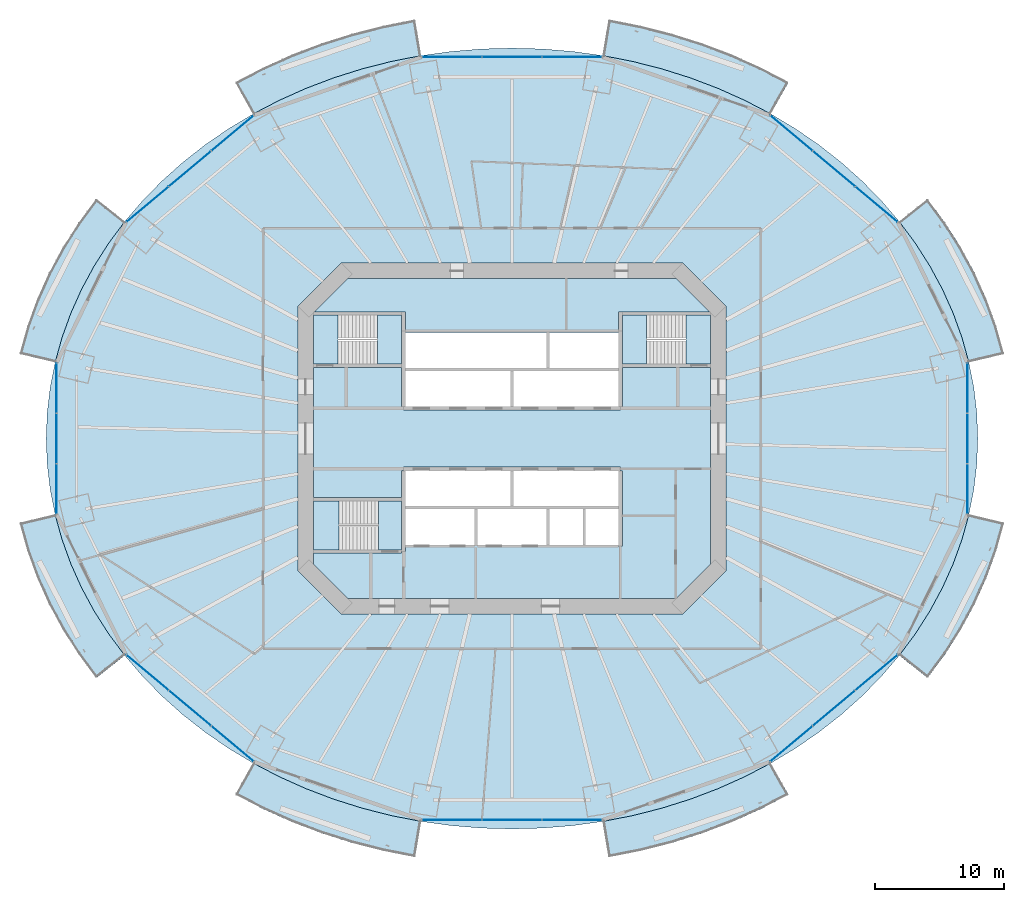
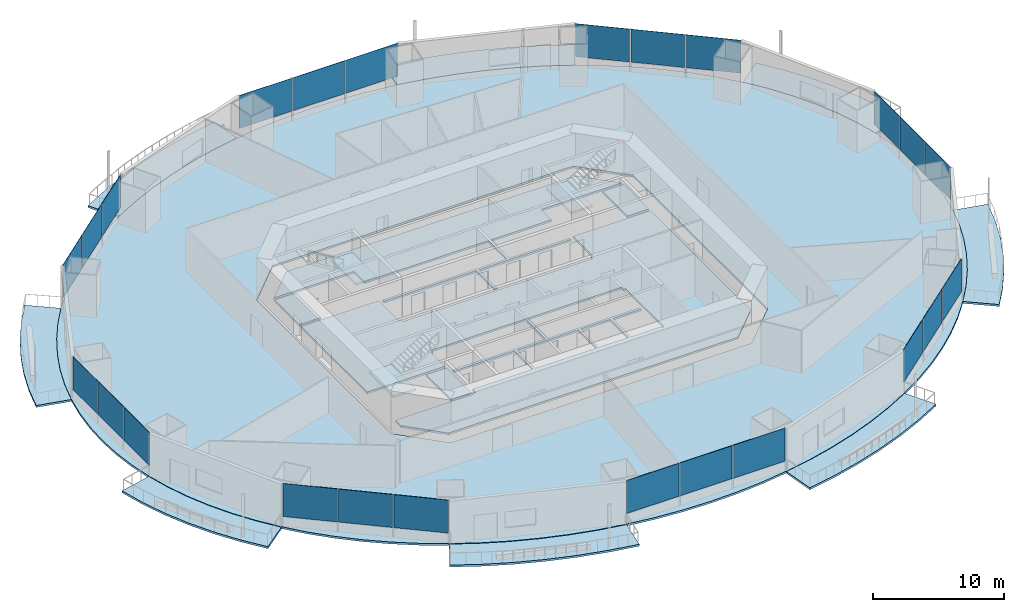
# One storey, part 13 of 23: 24 plates, 17 slabs, 11 elements without a shape of their own.
"""IFC4 building model written with IfcOpenShell, lengths in metres."""

from ifc_helpers import new_model, si_unit, direction, frame, origin, origin_2d, place, context, subcontext, project, spatial, polyline, rectangle, outline, extrude, material, layer, layer_set, type_object, element, aggregate, save


model = new_model("IFC4")

# Units and contexts
model_context = context("Model", 3, precision=1e-05, world=origin(), true_north=direction((0.0, 1.0)))
body_context = subcontext(model_context, "Body", "Model", "MODEL_VIEW")
ifc_project = project(units=[si_unit("LENGTHUNIT", "METRE"), si_unit("AREAUNIT", "SQUARE_METRE"), si_unit("VOLUMEUNIT", "CUBIC_METRE"), si_unit("PLANEANGLEUNIT", "RADIAN"), si_unit("MASSUNIT", "GRAM", prefix="KILO")], contexts=[model_context])

# Site, building, storey
site_placement = place(None, origin())
site = spatial("IfcSite", under=ifc_project, at=site_placement, CompositionType="ELEMENT")
building_placement = place(site_placement, origin())
building = spatial("IfcBuilding", under=site, at=building_placement, Name="Marenthal Gate Tower", CompositionType="ELEMENT")
storey_placement = place(building_placement, frame((0.0, 0.0, 57.89990234375)))
storey = spatial("IfcBuildingStorey", under=building, at=storey_placement, Name="L10", CompositionType="ELEMENT", Elevation=57.89990234375)

# Slabs
ifc_material_1 = material(Name="Concrete 40 MPa", Category="concrete")
ifc_layer_1 = layer(ifc_material_1, 0.179931640625)
ifc_layer_set_1 = layer_set([ifc_layer_1], Name="Balcony deck 180")
slab_type_1 = type_object("IfcSlabType", Name="Balcony deck 180", PredefinedType="USERDEFINED", material=ifc_layer_set_1)
slab_1_placement = place(storey_placement, frame((0.0, 0.0, -0.219970703125)))
element("IfcSlab", 1, at=slab_1_placement, inside=storey, type_object=slab_type_1, Name="Balcony deck L10 bay 1", ObjectType="BALCONY", PredefinedType="USERDEFINED", context=body_context, shape_type="SweptSolid", body=[
    extrude(outline(polyline([(35.421142578125, 5.9052734375), (34.884521484375, 7.834228515625), (34.198486328125, 9.729736328125), (33.365966796875, 11.58349609375), (32.390625, 13.3876953125), (31.276611328125, 15.134521484375), (30.028564453125, 16.816650390625), (32.2177734375, 18.56201171875), (33.582275390625, 16.722900390625), (34.803955078125, 14.8076171875), (35.8759765625, 12.823974609375), (36.793701171875, 10.78076171875), (37.551513671875, 8.686767578125), (38.1455078125, 6.5517578125), (35.421142578125, 5.9052734375)])), origin(), (0.0, 0.0, 1.0), 0.18017578125),
])
slab_2_placement = place(storey_placement, frame((0.0, 0.0, -0.219970703125)))
element("IfcSlab", 2, at=slab_2_placement, inside=storey, type_object=slab_type_1, Name="Balcony deck L10 bay 3", ObjectType="BALCONY", PredefinedType="USERDEFINED", context=body_context, shape_type="SweptSolid", body=[
    extrude(outline(polyline([(20.064453125, 25.167724609375), (18.0576171875, 26.213623046875), (15.973388671875, 27.1474609375), (13.820556640625, 27.96484375), (11.60888671875, 28.66259765625), (9.34716796875, 29.237548828125), (7.045654296875, 29.6875), (7.506103515625, 32.44921875), (9.960693359375, 31.969482421875), (12.375, 31.355712890625), (14.739013671875, 30.610107421875), (17.042724609375, 29.735107421875), (19.277099609375, 28.734130859375), (21.4326171875, 27.61083984375), (20.064453125, 25.167724609375)])), origin(), (0.0, 0.0, 1.0), 0.18017578125),
])
slab_3_placement = place(storey_placement, frame((0.0, 0.0, -0.219970703125)))
element("IfcSlab", 3, at=slab_3_placement, inside=storey, type_object=slab_type_1, Name="Balcony deck L10 bay 5", ObjectType="BALCONY", PredefinedType="USERDEFINED", context=body_context, shape_type="SweptSolid", body=[
    extrude(outline(polyline([(-7.045654296875, 29.6875), (-9.34716796875, 29.237548828125), (-11.60888671875, 28.66259765625), (-13.820556640625, 27.96484375), (-15.973388671875, 27.1474609375), (-18.0576171875, 26.213623046875), (-20.064453125, 25.167724609375), (-21.4326171875, 27.61083984375), (-19.277099609375, 28.734130859375), (-17.042724609375, 29.735107421875), (-14.739013671875, 30.610107421875), (-12.375, 31.355712890625), (-9.960693359375, 31.969482421875), (-7.506103515625, 32.44921875), (-7.045654296875, 29.6875)])), origin(), (0.0, 0.0, 1.0), 0.18017578125),
])
slab_4_placement = place(storey_placement, frame((0.0, 0.0, -0.219970703125)))
element("IfcSlab", 4, at=slab_4_placement, inside=storey, type_object=slab_type_1, Name="Balcony deck L10 bay 7", ObjectType="BALCONY", PredefinedType="USERDEFINED", context=body_context, shape_type="SweptSolid", body=[
    extrude(outline(polyline([(-30.028564453125, 16.816650390625), (-31.276611328125, 15.134521484375), (-32.390625, 13.3876953125), (-33.365966796875, 11.58349609375), (-34.198486328125, 9.729736328125), (-34.884521484375, 7.834228515625), (-35.421142578125, 5.9052734375), (-38.1455078125, 6.5517578125), (-37.551513671875, 8.686767578125), (-36.793701171875, 10.78076171875), (-35.8759765625, 12.823974609375), (-34.803955078125, 14.8076171875), (-33.582275390625, 16.722900390625), (-32.2177734375, 18.56201171875), (-30.028564453125, 16.816650390625)])), origin(), (0.0, 0.0, 1.0), 0.18017578125),
])
slab_5_placement = place(storey_placement, frame((0.0, 0.0, -0.219970703125)))
element("IfcSlab", 5, at=slab_5_placement, inside=storey, type_object=slab_type_1, Name="Balcony deck L10 bay 9", ObjectType="BALCONY", PredefinedType="USERDEFINED", context=body_context, shape_type="SweptSolid", body=[
    extrude(outline(polyline([(-35.421142578125, -5.9052734375), (-34.884521484375, -7.834228515625), (-34.198486328125, -9.729736328125), (-33.365966796875, -11.58349609375), (-32.390625, -13.3876953125), (-31.276611328125, -15.134521484375), (-30.028564453125, -16.816650390625), (-32.2177734375, -18.56201171875), (-33.582275390625, -16.722900390625), (-34.803955078125, -14.8076171875), (-35.8759765625, -12.823974609375), (-36.793701171875, -10.78076171875), (-37.551513671875, -8.686767578125), (-38.1455078125, -6.5517578125), (-35.421142578125, -5.9052734375)])), origin(), (0.0, 0.0, 1.0), 0.18017578125),
])
slab_6_placement = place(storey_placement, frame((0.0, 0.0, -0.219970703125)))
element("IfcSlab", 6, at=slab_6_placement, inside=storey, type_object=slab_type_1, Name="Balcony deck L10 bay 11", ObjectType="BALCONY", PredefinedType="USERDEFINED", context=body_context, shape_type="SweptSolid", body=[
    extrude(outline(polyline([(-20.064453125, -25.167724609375), (-18.0576171875, -26.213623046875), (-15.973388671875, -27.1474609375), (-13.820556640625, -27.96484375), (-11.60888671875, -28.66259765625), (-9.34716796875, -29.237548828125), (-7.045654296875, -29.6875), (-7.506103515625, -32.44921875), (-9.960693359375, -31.969482421875), (-12.375, -31.355712890625), (-14.739013671875, -30.610107421875), (-17.042724609375, -29.735107421875), (-19.277099609375, -28.734130859375), (-21.4326171875, -27.61083984375), (-20.064453125, -25.167724609375)])), origin(), (0.0, 0.0, 1.0), 0.18017578125),
])
slab_7_placement = place(storey_placement, frame((0.0, 0.0, -0.219970703125)))
element("IfcSlab", 7, at=slab_7_placement, inside=storey, type_object=slab_type_1, Name="Balcony deck L10 bay 13", ObjectType="BALCONY", PredefinedType="USERDEFINED", context=body_context, shape_type="SweptSolid", body=[
    extrude(outline(polyline([(7.045654296875, -29.6875), (9.34716796875, -29.237548828125), (11.60888671875, -28.66259765625), (13.820556640625, -27.96484375), (15.973388671875, -27.1474609375), (18.0576171875, -26.213623046875), (20.064453125, -25.167724609375), (21.4326171875, -27.61083984375), (19.277099609375, -28.734130859375), (17.042724609375, -29.735107421875), (14.739013671875, -30.610107421875), (12.375, -31.355712890625), (9.960693359375, -31.969482421875), (7.506103515625, -32.44921875), (7.045654296875, -29.6875)])), origin(), (0.0, 0.0, 1.0), 0.18017578125),
])
slab_8_placement = place(storey_placement, frame((0.0, 0.0, -0.219970703125)))
element("IfcSlab", 8, at=slab_8_placement, inside=storey, type_object=slab_type_1, Name="Balcony deck L10 bay 15", ObjectType="BALCONY", PredefinedType="USERDEFINED", context=body_context, shape_type="SweptSolid", body=[
    extrude(outline(polyline([(30.028564453125, -16.816650390625), (31.276611328125, -15.134521484375), (32.390625, -13.3876953125), (33.365966796875, -11.58349609375), (34.198486328125, -9.729736328125), (34.884521484375, -7.834228515625), (35.421142578125, -5.9052734375), (38.1455078125, -6.5517578125), (37.551513671875, -8.686767578125), (36.793701171875, -10.78076171875), (35.8759765625, -12.823974609375), (34.803955078125, -14.8076171875), (33.582275390625, -16.722900390625), (32.2177734375, -18.56201171875), (30.028564453125, -16.816650390625)])), origin(), (0.0, 0.0, 1.0), 0.18017578125),
])
ifc_material_2 = material(Name="Concrete 50 MPa", Category="concrete")
ifc_layer_2 = layer(ifc_material_2, 0.179931640625)
ifc_layer_set_2 = layer_set([ifc_layer_2], Name="Core floor slab 180")
slab_type_2 = type_object("IfcSlabType", Name="Core floor slab 180", PredefinedType="FLOOR", material=ifc_layer_set_2)
slab_9_placement = place(storey_placement, frame((0.0, 0.0, -0.179931640625)))
element("IfcSlab", 9, at=slab_9_placement, inside=storey, type_object=slab_type_2, Name="Core floor L10", PredefinedType="FLOOR", context=body_context, shape_type="SweptSolid", body=[
    extrude(outline(polyline([(15.39990234375, -9.75146484375), (12.75146484375, -12.39990234375), (-12.75146484375, -12.39990234375), (-15.39990234375, -9.75146484375), (-15.39990234375, -8.875), (-8.550048828125, -8.875), (-8.550048828125, -8.75), (-8.25, -8.75), (-8.25, -8.239990234375), (-5.60009765625, -8.239990234375), (-2.909912109375, -8.239990234375), (-2.909912109375, -5.4599609375), (-5.60009765625, -5.4599609375), (-8.25, -5.4599609375), (-8.25, -5.239990234375), (-5.60009765625, -5.239990234375), (-2.800048828125, -5.239990234375), (-0.110107421875, -5.239990234375), (-0.110107421875, -2.5), (0.110107421875, -2.5), (0.110107421875, -5.239990234375), (2.800048828125, -5.239990234375), (5.60009765625, -5.239990234375), (8.25, -5.239990234375), (8.25, -5.4599609375), (5.7099609375, -5.4599609375), (5.7099609375, -8.239990234375), (8.25, -8.239990234375), (8.25, -8.35009765625), (8.550048828125, -8.35009765625), (8.550048828125, -2.5), (8.39990234375, -2.5), (8.39990234375, -2.199951171875), (-8.39990234375, -2.199951171875), (-8.39990234375, -2.5), (-8.550048828125, -2.5), (-8.550048828125, -4.574951171875), (-15.39990234375, -4.574951171875), (-15.39990234375, 5.52490234375), (-8.550048828125, 5.52490234375), (-8.550048828125, 2.5), (-8.39990234375, 2.5), (-8.39990234375, 2.199951171875), (8.39990234375, 2.199951171875), (8.39990234375, 2.5), (8.550048828125, 2.5), (8.550048828125, 5.52490234375), (15.39990234375, 5.52490234375), (15.39990234375, -9.75146484375)]), holes=[polyline([(2.68994140625, -5.4599609375), (0.0, -5.4599609375), (-2.68994140625, -5.4599609375), (-2.68994140625, -8.239990234375), (0.0, -8.239990234375), (2.68994140625, -8.239990234375), (2.68994140625, -5.4599609375)]), polyline([(5.489990234375, -5.4599609375), (2.909912109375, -5.4599609375), (2.909912109375, -8.239990234375), (5.489990234375, -8.239990234375), (5.489990234375, -5.4599609375)])]), origin(), (0.0, 0.0, 1.0), 0.179931640625),
])
slab_10_placement = place(storey_placement, frame((0.0, 0.0, -0.179931640625)))
element("IfcSlab", 10, at=slab_10_placement, inside=storey, type_object=slab_type_2, Name="Core floor L10", PredefinedType="FLOOR", context=body_context, shape_type="SweptSolid", body=[
    extrude(outline(polyline([(15.39990234375, 5.77490234375), (13.5, 5.77490234375), (13.5, 9.574951171875), (15.39990234375, 9.574951171875), (15.39990234375, 5.77490234375)])), origin(), (0.0, 0.0, 1.0), 0.179931640625),
])
slab_11_placement = place(storey_placement, frame((0.0, 0.0, -0.179931640625)))
element("IfcSlab", 11, at=slab_11_placement, inside=storey, type_object=slab_type_2, Name="Core floor L10", PredefinedType="FLOOR", context=body_context, shape_type="SweptSolid", body=[
    extrude(outline(polyline([(12.75146484375, 12.39990234375), (15.326416015625, 9.824951171875), (8.550048828125, 9.824951171875), (8.25, 9.824951171875), (8.25, 8.35009765625), (8.25, 8.239990234375), (5.60009765625, 8.239990234375), (2.909912109375, 8.239990234375), (2.909912109375, 5.4599609375), (5.60009765625, 5.4599609375), (8.25, 5.4599609375), (8.25, 5.239990234375), (5.60009765625, 5.239990234375), (2.800048828125, 5.239990234375), (0.110107421875, 5.239990234375), (0.110107421875, 2.5), (-0.110107421875, 2.5), (-0.110107421875, 5.239990234375), (-2.800048828125, 5.239990234375), (-5.60009765625, 5.239990234375), (-8.25, 5.239990234375), (-8.25, 5.4599609375), (-5.60009765625, 5.4599609375), (-2.800048828125, 5.4599609375), (0.0, 5.4599609375), (2.68994140625, 5.4599609375), (2.68994140625, 8.239990234375), (0.0, 8.239990234375), (-2.800048828125, 8.239990234375), (-5.60009765625, 8.239990234375), (-8.25, 8.239990234375), (-8.25, 8.35009765625), (-8.25, 9.824951171875), (-8.550048828125, 9.824951171875), (-15.326416015625, 9.824951171875), (-12.75146484375, 12.39990234375), (12.75146484375, 12.39990234375)])), origin(), (0.0, 0.0, 1.0), 0.179931640625),
])
slab_12_placement = place(storey_placement, frame((0.0, 0.0, -0.179931640625)))
element("IfcSlab", 12, at=slab_12_placement, inside=storey, type_object=slab_type_2, Name="Core floor L10", PredefinedType="FLOOR", context=body_context, shape_type="SweptSolid", body=[
    extrude(outline(polyline([(-15.39990234375, 9.574951171875), (-13.5, 9.574951171875), (-13.5, 5.77490234375), (-15.39990234375, 5.77490234375), (-15.39990234375, 9.574951171875)])), origin(), (0.0, 0.0, 1.0), 0.179931640625),
])
slab_13_placement = place(storey_placement, frame((0.0, 0.0, -0.179931640625)))
element("IfcSlab", 13, at=slab_13_placement, inside=storey, type_object=slab_type_2, Name="Core floor L10", PredefinedType="FLOOR", context=body_context, shape_type="SweptSolid", body=[
    extrude(outline(polyline([(-8.550048828125, -8.625), (-10.35009765625, -8.625), (-10.35009765625, -4.824951171875), (-8.550048828125, -4.824951171875), (-8.550048828125, -8.625)])), origin(), (0.0, 0.0, 1.0), 0.179931640625),
])
ifc_material_3 = material(Name="Concrete 35 MPa", Category="concrete")
ifc_layer_3 = layer(ifc_material_3, 0.179931640625)
ifc_layer_set_3 = layer_set([ifc_layer_3], Name="Floor slab 180")
slab_type_3 = type_object("IfcSlabType", Name="Floor slab 180", PredefinedType="FLOOR", material=ifc_layer_set_3)
slab_14_placement = place(storey_placement, frame((0.0, 0.0, -0.179931640625)))
element("IfcSlab", 14, at=slab_14_placement, inside=storey, type_object=slab_type_3, Name="SL-L10-01", PredefinedType="FLOOR", context=body_context, shape_type="SweptSolid", body=[
    extrude(outline(polyline([(36.114990234375, 0.0), (36.03759765625, 1.979736328125), (35.805908203125, 3.950927734375), (35.421142578125, 5.9052734375), (34.884521484375, 7.834228515625), (34.198486328125, 9.729736328125), (33.365966796875, 11.58349609375), (32.390625, 13.3876953125), (31.276611328125, 15.134521484375), (30.028564453125, 16.816650390625), (28.652099609375, 18.426513671875), (27.152587890625, 19.957763671875), (25.537109375, 21.4033203125), (23.812255859375, 22.75732421875), (21.9853515625, 24.013916015625), (20.064453125, 25.167724609375), (18.0576171875, 26.213623046875), (15.973388671875, 27.1474609375), (13.820556640625, 27.96484375), (11.60888671875, 28.66259765625), (9.34716796875, 29.237548828125), (7.045654296875, 29.6875), (4.714111328125, 30.010009765625), (2.362060546875, 30.2041015625), (0.0, 30.26904296875), (-2.362060546875, 30.2041015625), (-4.714111328125, 30.010009765625), (-7.045654296875, 29.6875), (-9.34716796875, 29.237548828125), (-11.60888671875, 28.66259765625), (-13.820556640625, 27.96484375), (-15.973388671875, 27.1474609375), (-18.0576171875, 26.213623046875), (-20.064453125, 25.167724609375), (-21.9853515625, 24.013916015625), (-23.812255859375, 22.75732421875), (-25.537109375, 21.4033203125), (-27.152587890625, 19.957763671875), (-28.652099609375, 18.426513671875), (-30.028564453125, 16.816650390625), (-31.276611328125, 15.134521484375), (-32.390625, 13.3876953125), (-33.365966796875, 11.58349609375), (-34.198486328125, 9.729736328125), (-34.884521484375, 7.834228515625), (-35.421142578125, 5.9052734375), (-35.805908203125, 3.950927734375), (-36.03759765625, 1.979736328125), (-36.114990234375, 0.0), (-36.03759765625, -1.979736328125), (-35.805908203125, -3.950927734375), (-35.421142578125, -5.9052734375), (-34.884521484375, -7.834228515625), (-34.198486328125, -9.729736328125), (-33.365966796875, -11.58349609375), (-32.390625, -13.3876953125), (-31.276611328125, -15.134521484375), (-30.028564453125, -16.816650390625), (-28.652099609375, -18.426513671875), (-27.152587890625, -19.957763671875), (-25.537109375, -21.4033203125), (-23.812255859375, -22.75732421875), (-21.9853515625, -24.013916015625), (-20.064453125, -25.167724609375), (-18.0576171875, -26.213623046875), (-15.973388671875, -27.1474609375), (-13.820556640625, -27.96484375), (-11.60888671875, -28.66259765625), (-9.34716796875, -29.237548828125), (-7.045654296875, -29.6875), (-4.714111328125, -30.010009765625), (-2.362060546875, -30.2041015625), (0.0, -30.26904296875), (2.362060546875, -30.2041015625), (4.714111328125, -30.010009765625), (7.045654296875, -29.6875), (9.34716796875, -29.237548828125), (11.60888671875, -28.66259765625), (13.820556640625, -27.96484375), (15.973388671875, -27.1474609375), (18.0576171875, -26.213623046875), (20.064453125, -25.167724609375), (21.9853515625, -24.013916015625), (23.812255859375, -22.75732421875), (25.537109375, -21.4033203125), (27.152587890625, -19.957763671875), (28.652099609375, -18.426513671875), (30.028564453125, -16.816650390625), (31.276611328125, -15.134521484375), (32.390625, -13.3876953125), (33.365966796875, -11.58349609375), (34.198486328125, -9.729736328125), (34.884521484375, -7.834228515625), (35.421142578125, -5.9052734375), (35.805908203125, -3.950927734375), (36.03759765625, -1.979736328125), (36.114990234375, 0.0)]), holes=[polyline([(13.24853515625, -13.60009765625), (16.60009765625, -10.24853515625), (16.60009765625, 10.24853515625), (13.24853515625, 13.60009765625), (-13.24853515625, 13.60009765625), (-16.60009765625, 10.24853515625), (-16.60009765625, -10.24853515625), (-13.24853515625, -13.60009765625), (13.24853515625, -13.60009765625)])]), origin(), (0.0, 0.0, 1.0), 0.179931640625),
])

# Curtain wall, plates
ifc_material_4 = material(Name="Aluminium and glass", Category="aluminium")
curtain_wall_type = type_object("IfcCurtainWallType", Name="Curtain wall typical low", PredefinedType="NOTDEFINED", material=ifc_material_4)
curtain_wall_1_placement = place(storey_placement, origin())
curtain_wall_1 = element("IfcCurtainWall", 15, at=curtain_wall_1_placement, inside=storey, type_object=curtain_wall_type, Name="Curtain wall L10 bay 2", PredefinedType="NOTDEFINED")
ifc_material_5 = material(Name="Glass, laminated insulating unit", Category="glass")
ifc_layer_4 = layer(ifc_material_5, 0.030029296875)
ifc_layer_set_4 = layer_set([ifc_layer_4], Name="Glass panel 30 typical low")
plate_type = type_object("IfcPlateType", Name="Glass panel 30 typical low", PredefinedType="CURTAIN_PANEL", material=ifc_layer_set_4)
plate_1_placement = place(storey_placement, frame((28.25830078125, 18.149169921875, 0.89990234375), z_axis=(0.0, 0.0, 1.0), x_axis=(-0.766611059497, 0.642111737517, 0.0)))
plate_1 = element("IfcPlate", 16, at=plate_1_placement, type_object=plate_type, Name="Glass panel L10 bay 2.1", PredefinedType="CURTAIN_PANEL", context=body_context, shape_type="SweptSolid", body=[
    extrude(rectangle(XDim=4.238037109375, YDim=0.030029296875, at=origin_2d()), origin(), (0.0, 0.0, 1.0), 3.070068359375),
])
plate_2_placement = place(storey_placement, frame((24.963134765625, 20.908935546875, 0.89990234375), z_axis=(0.0, 0.0, 1.0), x_axis=(-0.766611059497, 0.642111737517, 0.0)))
plate_2 = element("IfcPlate", 17, at=plate_2_placement, type_object=plate_type, Name="Glass panel L10 bay 2.2", PredefinedType="CURTAIN_PANEL", context=body_context, shape_type="SweptSolid", body=[
    extrude(rectangle(XDim=4.238037109375, YDim=0.030029296875, at=origin_2d()), origin(), (0.0, 0.0, 1.0), 3.070068359375),
])
plate_3_placement = place(storey_placement, frame((21.668212890625, 23.668701171875, 0.89990234375), z_axis=(0.0, 0.0, 1.0), x_axis=(-0.766611059497, 0.642111737517, 0.0)))
plate_3 = element("IfcPlate", 18, at=plate_3_placement, type_object=plate_type, Name="Glass panel L10 bay 2.3", PredefinedType="CURTAIN_PANEL", context=body_context, shape_type="SweptSolid", body=[
    extrude(rectangle(XDim=4.238037109375, YDim=0.030029296875, at=origin_2d()), origin(), (0.0, 0.0, 1.0), 3.070068359375),
])
aggregate(curtain_wall_1, [plate_1, plate_2, plate_3])

curtain_wall_2_placement = place(storey_placement, origin())
curtain_wall_2 = element("IfcCurtainWall", 19, at=curtain_wall_2_placement, inside=storey, type_object=curtain_wall_type, Name="Curtain wall L10 bay 4", PredefinedType="NOTDEFINED")
plate_4_placement = place(storey_placement, frame((4.66162109375, 29.569580078125, 0.89990234375), z_axis=(0.0, 0.0, 1.0), x_axis=(-1.0, 0.0, 0.0)))
plate_4 = element("IfcPlate", 20, at=plate_4_placement, type_object=plate_type, Name="Glass panel L10 bay 4.1", PredefinedType="CURTAIN_PANEL", context=body_context, shape_type="SweptSolid", body=[
    extrude(rectangle(XDim=4.6015625, YDim=0.030029296875, at=origin_2d()), origin(), (0.0, 0.0, 1.0), 3.070068359375),
])
plate_5_placement = place(storey_placement, frame((0.0, 29.569580078125, 0.89990234375), z_axis=(0.0, 0.0, 1.0), x_axis=(-1.0, 0.0, 0.0)))
plate_5 = element("IfcPlate", 21, at=plate_5_placement, type_object=plate_type, Name="Glass panel L10 bay 4.2", PredefinedType="CURTAIN_PANEL", context=body_context, shape_type="SweptSolid", body=[
    extrude(rectangle(XDim=4.6015625, YDim=0.030029296875, at=origin_2d()), origin(), (0.0, 0.0, 1.0), 3.070068359375),
])
plate_6_placement = place(storey_placement, frame((-4.66162109375, 29.569580078125, 0.89990234375), z_axis=(0.0, 0.0, 1.0), x_axis=(-1.0, 0.0, 0.0)))
plate_6 = element("IfcPlate", 22, at=plate_6_placement, type_object=plate_type, Name="Glass panel L10 bay 4.3", PredefinedType="CURTAIN_PANEL", context=body_context, shape_type="SweptSolid", body=[
    extrude(rectangle(XDim=4.6015625, YDim=0.030029296875, at=origin_2d()), origin(), (0.0, 0.0, 1.0), 3.070068359375),
])
aggregate(curtain_wall_2, [plate_4, plate_5, plate_6])

curtain_wall_3_placement = place(storey_placement, origin())
curtain_wall_3 = element("IfcCurtainWall", 23, at=curtain_wall_3_placement, inside=storey, type_object=curtain_wall_type, Name="Curtain wall L10 bay 6", PredefinedType="NOTDEFINED")
plate_7_placement = place(storey_placement, frame((-21.668212890625, 23.668701171875, 0.89990234375), z_axis=(0.0, 0.0, 1.0), x_axis=(-0.766611059497, -0.642111737517, 0.0)))
plate_7 = element("IfcPlate", 24, at=plate_7_placement, type_object=plate_type, Name="Glass panel L10 bay 6.1", PredefinedType="CURTAIN_PANEL", context=body_context, shape_type="SweptSolid", body=[
    extrude(rectangle(XDim=4.238037109375, YDim=0.030029296875, at=origin_2d()), origin(), (0.0, 0.0, 1.0), 3.070068359375),
])
plate_8_placement = place(storey_placement, frame((-24.963134765625, 20.908935546875, 0.89990234375), z_axis=(0.0, 0.0, 1.0), x_axis=(-0.766611059497, -0.642111737517, 0.0)))
plate_8 = element("IfcPlate", 25, at=plate_8_placement, type_object=plate_type, Name="Glass panel L10 bay 6.2", PredefinedType="CURTAIN_PANEL", context=body_context, shape_type="SweptSolid", body=[
    extrude(rectangle(XDim=4.238037109375, YDim=0.030029296875, at=origin_2d()), origin(), (0.0, 0.0, 1.0), 3.070068359375),
])
plate_9_placement = place(storey_placement, frame((-28.25830078125, 18.149169921875, 0.89990234375), z_axis=(0.0, 0.0, 1.0), x_axis=(-0.766611059497, -0.642111737517, 0.0)))
plate_9 = element("IfcPlate", 26, at=plate_9_placement, type_object=plate_type, Name="Glass panel L10 bay 6.3", PredefinedType="CURTAIN_PANEL", context=body_context, shape_type="SweptSolid", body=[
    extrude(rectangle(XDim=4.238037109375, YDim=0.030029296875, at=origin_2d()), origin(), (0.0, 0.0, 1.0), 3.070068359375),
])
aggregate(curtain_wall_3, [plate_7, plate_8, plate_9])

curtain_wall_4_placement = place(storey_placement, origin())
curtain_wall_4 = element("IfcCurtainWall", 27, at=curtain_wall_4_placement, inside=storey, type_object=curtain_wall_type, Name="Curtain wall L10 bay 8", PredefinedType="NOTDEFINED")
plate_10_placement = place(storey_placement, frame((-35.303466796875, 3.901123046875, 0.89990234375), z_axis=(0.0, 0.0, 1.0), x_axis=(0.0, -1.0, 0.0)))
plate_10 = element("IfcPlate", 28, at=plate_10_placement, type_object=plate_type, Name="Glass panel L10 bay 8.1", PredefinedType="CURTAIN_PANEL", context=body_context, shape_type="SweptSolid", body=[
    extrude(rectangle(XDim=3.84130859375, YDim=0.030029296875, at=origin_2d()), origin(), (0.0, 0.0, 1.0), 3.070068359375),
])
plate_11_placement = place(storey_placement, frame((-35.303466796875, 0.0, 0.89990234375), z_axis=(0.0, 0.0, 1.0), x_axis=(0.0, -1.0, 0.0)))
plate_11 = element("IfcPlate", 29, at=plate_11_placement, type_object=plate_type, Name="Glass panel L10 bay 8.2", PredefinedType="CURTAIN_PANEL", context=body_context, shape_type="SweptSolid", body=[
    extrude(rectangle(XDim=3.84130859375, YDim=0.030029296875, at=origin_2d()), origin(), (0.0, 0.0, 1.0), 3.070068359375),
])
plate_12_placement = place(storey_placement, frame((-35.303466796875, -3.901123046875, 0.89990234375), z_axis=(0.0, 0.0, 1.0), x_axis=(0.0, -1.0, 0.0)))
plate_12 = element("IfcPlate", 30, at=plate_12_placement, type_object=plate_type, Name="Glass panel L10 bay 8.3", PredefinedType="CURTAIN_PANEL", context=body_context, shape_type="SweptSolid", body=[
    extrude(rectangle(XDim=3.84130859375, YDim=0.030029296875, at=origin_2d()), origin(), (0.0, 0.0, 1.0), 3.070068359375),
])
aggregate(curtain_wall_4, [plate_10, plate_11, plate_12])

curtain_wall_5_placement = place(storey_placement, origin())
curtain_wall_5 = element("IfcCurtainWall", 31, at=curtain_wall_5_placement, inside=storey, type_object=curtain_wall_type, Name="Curtain wall L10 bay 10", PredefinedType="NOTDEFINED")
plate_13_placement = place(storey_placement, frame((-28.25830078125, -18.149169921875, 0.89990234375), z_axis=(0.0, 0.0, 1.0), x_axis=(0.766611059497, -0.642111737517, 0.0)))
plate_13 = element("IfcPlate", 32, at=plate_13_placement, type_object=plate_type, Name="Glass panel L10 bay 10.1", PredefinedType="CURTAIN_PANEL", context=body_context, shape_type="SweptSolid", body=[
    extrude(rectangle(XDim=4.238037109375, YDim=0.030029296875, at=origin_2d()), origin(), (0.0, 0.0, 1.0), 3.070068359375),
])
plate_14_placement = place(storey_placement, frame((-24.963134765625, -20.908935546875, 0.89990234375), z_axis=(0.0, 0.0, 1.0), x_axis=(0.766611059497, -0.642111737517, 0.0)))
plate_14 = element("IfcPlate", 33, at=plate_14_placement, type_object=plate_type, Name="Glass panel L10 bay 10.2", PredefinedType="CURTAIN_PANEL", context=body_context, shape_type="SweptSolid", body=[
    extrude(rectangle(XDim=4.238037109375, YDim=0.030029296875, at=origin_2d()), origin(), (0.0, 0.0, 1.0), 3.070068359375),
])
plate_15_placement = place(storey_placement, frame((-21.668212890625, -23.668701171875, 0.89990234375), z_axis=(0.0, 0.0, 1.0), x_axis=(0.766611059497, -0.642111737517, 0.0)))
plate_15 = element("IfcPlate", 34, at=plate_15_placement, type_object=plate_type, Name="Glass panel L10 bay 10.3", PredefinedType="CURTAIN_PANEL", context=body_context, shape_type="SweptSolid", body=[
    extrude(rectangle(XDim=4.238037109375, YDim=0.030029296875, at=origin_2d()), origin(), (0.0, 0.0, 1.0), 3.070068359375),
])
aggregate(curtain_wall_5, [plate_13, plate_14, plate_15])

curtain_wall_6_placement = place(storey_placement, origin())
curtain_wall_6 = element("IfcCurtainWall", 35, at=curtain_wall_6_placement, inside=storey, type_object=curtain_wall_type, Name="Curtain wall L10 bay 12", PredefinedType="NOTDEFINED")
plate_16_placement = place(storey_placement, frame((-4.66162109375, -29.569580078125, 0.89990234375), z_axis=(0.0, 0.0, 1.0), x_axis=(1.0, 0.0, 0.0)))
plate_16 = element("IfcPlate", 36, at=plate_16_placement, type_object=plate_type, Name="Glass panel L10 bay 12.1", PredefinedType="CURTAIN_PANEL", context=body_context, shape_type="SweptSolid", body=[
    extrude(rectangle(XDim=4.6015625, YDim=0.030029296875, at=origin_2d()), origin(), (0.0, 0.0, 1.0), 3.070068359375),
])
plate_17_placement = place(storey_placement, frame((0.0, -29.569580078125, 0.89990234375), z_axis=(0.0, 0.0, 1.0), x_axis=(1.0, 0.0, 0.0)))
plate_17 = element("IfcPlate", 37, at=plate_17_placement, type_object=plate_type, Name="Glass panel L10 bay 12.2", PredefinedType="CURTAIN_PANEL", context=body_context, shape_type="SweptSolid", body=[
    extrude(rectangle(XDim=4.6015625, YDim=0.030029296875, at=origin_2d()), origin(), (0.0, 0.0, 1.0), 3.070068359375),
])
plate_18_placement = place(storey_placement, frame((4.66162109375, -29.569580078125, 0.89990234375), z_axis=(0.0, 0.0, 1.0), x_axis=(1.0, 0.0, 0.0)))
plate_18 = element("IfcPlate", 38, at=plate_18_placement, type_object=plate_type, Name="Glass panel L10 bay 12.3", PredefinedType="CURTAIN_PANEL", context=body_context, shape_type="SweptSolid", body=[
    extrude(rectangle(XDim=4.6015625, YDim=0.030029296875, at=origin_2d()), origin(), (0.0, 0.0, 1.0), 3.070068359375),
])
aggregate(curtain_wall_6, [plate_16, plate_17, plate_18])

curtain_wall_7_placement = place(storey_placement, origin())
curtain_wall_7 = element("IfcCurtainWall", 39, at=curtain_wall_7_placement, inside=storey, type_object=curtain_wall_type, Name="Curtain wall L10 bay 14", PredefinedType="NOTDEFINED")
plate_19_placement = place(storey_placement, frame((21.668212890625, -23.668701171875, 0.89990234375), z_axis=(0.0, 0.0, 1.0), x_axis=(0.766611059497, 0.642111737517, 0.0)))
plate_19 = element("IfcPlate", 40, at=plate_19_placement, type_object=plate_type, Name="Glass panel L10 bay 14.1", PredefinedType="CURTAIN_PANEL", context=body_context, shape_type="SweptSolid", body=[
    extrude(rectangle(XDim=4.238037109375, YDim=0.030029296875, at=origin_2d()), origin(), (0.0, 0.0, 1.0), 3.070068359375),
])
plate_20_placement = place(storey_placement, frame((24.963134765625, -20.908935546875, 0.89990234375), z_axis=(0.0, 0.0, 1.0), x_axis=(0.766611059497, 0.642111737517, 0.0)))
plate_20 = element("IfcPlate", 41, at=plate_20_placement, type_object=plate_type, Name="Glass panel L10 bay 14.2", PredefinedType="CURTAIN_PANEL", context=body_context, shape_type="SweptSolid", body=[
    extrude(rectangle(XDim=4.238037109375, YDim=0.030029296875, at=origin_2d()), origin(), (0.0, 0.0, 1.0), 3.070068359375),
])
plate_21_placement = place(storey_placement, frame((28.25830078125, -18.149169921875, 0.89990234375), z_axis=(0.0, 0.0, 1.0), x_axis=(0.766611059497, 0.642111737517, 0.0)))
plate_21 = element("IfcPlate", 42, at=plate_21_placement, type_object=plate_type, Name="Glass panel L10 bay 14.3", PredefinedType="CURTAIN_PANEL", context=body_context, shape_type="SweptSolid", body=[
    extrude(rectangle(XDim=4.238037109375, YDim=0.030029296875, at=origin_2d()), origin(), (0.0, 0.0, 1.0), 3.070068359375),
])
aggregate(curtain_wall_7, [plate_19, plate_20, plate_21])

curtain_wall_8_placement = place(storey_placement, origin())
curtain_wall_8 = element("IfcCurtainWall", 43, at=curtain_wall_8_placement, inside=storey, type_object=curtain_wall_type, Name="Curtain wall L10 bay 16", PredefinedType="NOTDEFINED")
plate_22_placement = place(storey_placement, frame((35.303466796875, -3.901123046875, 0.89990234375), z_axis=(0.0, 0.0, 1.0), x_axis=(0.0, 1.0, 0.0)))
plate_22 = element("IfcPlate", 44, at=plate_22_placement, type_object=plate_type, Name="Glass panel L10 bay 16.1", PredefinedType="CURTAIN_PANEL", context=body_context, shape_type="SweptSolid", body=[
    extrude(rectangle(XDim=3.84130859375, YDim=0.030029296875, at=origin_2d()), origin(), (0.0, 0.0, 1.0), 3.070068359375),
])
plate_23_placement = place(storey_placement, frame((35.303466796875, 0.0, 0.89990234375), z_axis=(0.0, 0.0, 1.0), x_axis=(0.0, 1.0, 0.0)))
plate_23 = element("IfcPlate", 45, at=plate_23_placement, type_object=plate_type, Name="Glass panel L10 bay 16.2", PredefinedType="CURTAIN_PANEL", context=body_context, shape_type="SweptSolid", body=[
    extrude(rectangle(XDim=3.84130859375, YDim=0.030029296875, at=origin_2d()), origin(), (0.0, 0.0, 1.0), 3.070068359375),
])
plate_24_placement = place(storey_placement, frame((35.303466796875, 3.901123046875, 0.89990234375), z_axis=(0.0, 0.0, 1.0), x_axis=(0.0, 1.0, 0.0)))
plate_24 = element("IfcPlate", 46, at=plate_24_placement, type_object=plate_type, Name="Glass panel L10 bay 16.3", PredefinedType="CURTAIN_PANEL", context=body_context, shape_type="SweptSolid", body=[
    extrude(rectangle(XDim=3.84130859375, YDim=0.030029296875, at=origin_2d()), origin(), (0.0, 0.0, 1.0), 3.070068359375),
])
aggregate(curtain_wall_8, [plate_22, plate_23, plate_24])

# Stair, slab
ifc_material_6 = material(Name="Concrete 40 MPa", Category="concrete")
stair_type = type_object("IfcStairType", Name="Exit stair 1800", PredefinedType="HALF_TURN_STAIR", material=ifc_material_6)
stair_1_placement = place(storey_placement, origin())
stair_1 = element("IfcStair", 47, at=stair_1_placement, inside=storey, type_object=stair_type, Name="Stair ST1", PredefinedType="HALF_TURN_STAIR")
ifc_material_7 = material(Name="Concrete 40 MPa", Category="concrete")
ifc_layer_5 = layer(ifc_material_7, 0.199951171875)
ifc_layer_set_5 = layer_set([ifc_layer_5], Name="Stair landing 200")
slab_type_4 = type_object("IfcSlabType", Name="Stair landing 200", PredefinedType="LANDING", material=ifc_layer_set_5)
slab_15_placement = place(storey_placement, frame((0.0, 0.0, 1.875)))
slab_15 = element("IfcSlab", 48, at=slab_15_placement, type_object=slab_type_4, Name="ST1 landing 1", PredefinedType="LANDING", context=body_context, shape_type="SweptSolid", body=[
    extrude(outline(polyline([(-10.419921875, 5.77490234375), (-8.550048828125, 5.77490234375), (-8.550048828125, 9.574951171875), (-10.419921875, 9.574951171875), (-10.419921875, 5.77490234375)])), origin(), (0.0, 0.0, 1.0), 0.2001953125),
])
aggregate(stair_1, [slab_15])

stair_2_placement = place(storey_placement, origin())
stair_2 = element("IfcStair", 49, at=stair_2_placement, inside=storey, type_object=stair_type, Name="Stair ST2", PredefinedType="HALF_TURN_STAIR")
slab_16_placement = place(storey_placement, frame((0.0, 0.0, 1.875)))
slab_16 = element("IfcSlab", 50, at=slab_16_placement, type_object=slab_type_4, Name="ST2 landing 1", PredefinedType="LANDING", context=body_context, shape_type="SweptSolid", body=[
    extrude(outline(polyline([(-15.39990234375, -8.625), (-13.429931640625, -8.625), (-13.429931640625, -4.824951171875), (-15.39990234375, -4.824951171875), (-15.39990234375, -8.625)])), origin(), (0.0, 0.0, 1.0), 0.2001953125),
])
aggregate(stair_2, [slab_16])

stair_3_placement = place(storey_placement, origin())
stair_3 = element("IfcStair", 51, at=stair_3_placement, inside=storey, type_object=stair_type, Name="Stair ST3", PredefinedType="HALF_TURN_STAIR")
slab_17_placement = place(storey_placement, frame((0.0, 0.0, 1.875)))
slab_17 = element("IfcSlab", 52, at=slab_17_placement, type_object=slab_type_4, Name="ST3 landing 1", PredefinedType="LANDING", context=body_context, shape_type="SweptSolid", body=[
    extrude(outline(polyline([(8.550048828125, 5.77490234375), (10.419921875, 5.77490234375), (10.419921875, 9.574951171875), (8.550048828125, 9.574951171875), (8.550048828125, 5.77490234375)])), origin(), (0.0, 0.0, 1.0), 0.2001953125),
])
aggregate(stair_3, [slab_17])

save(model, "model.ifc")
